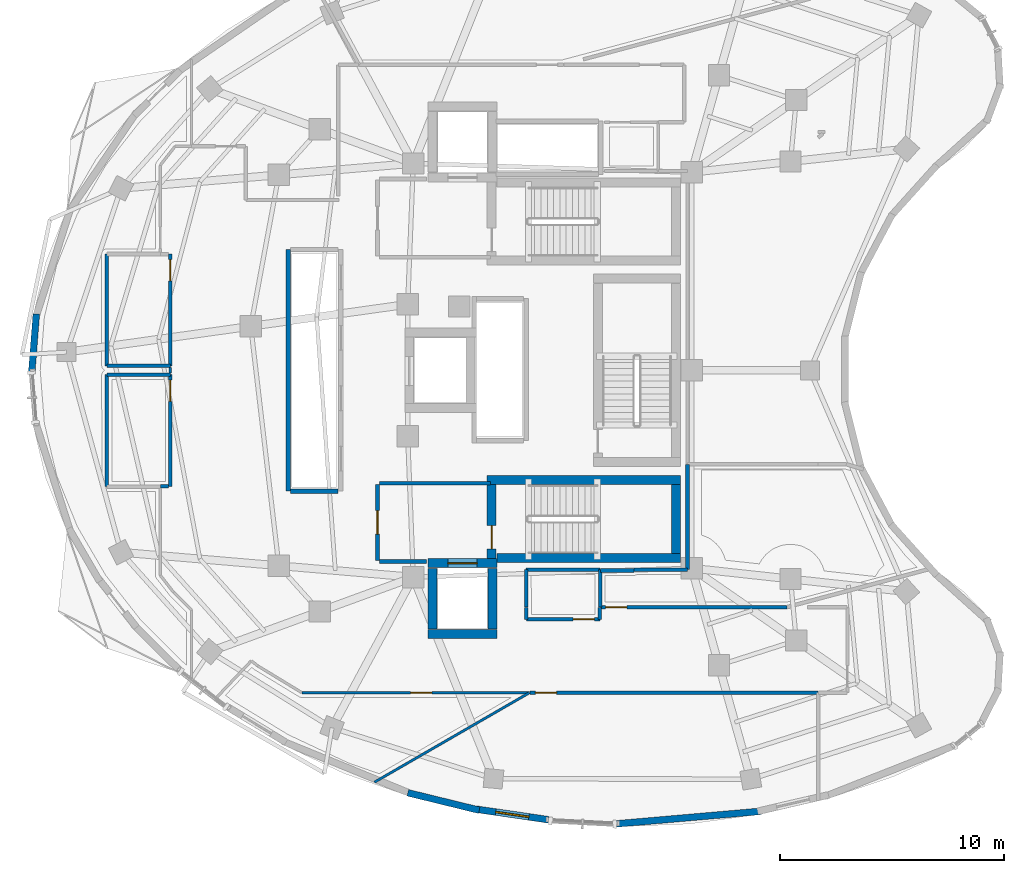
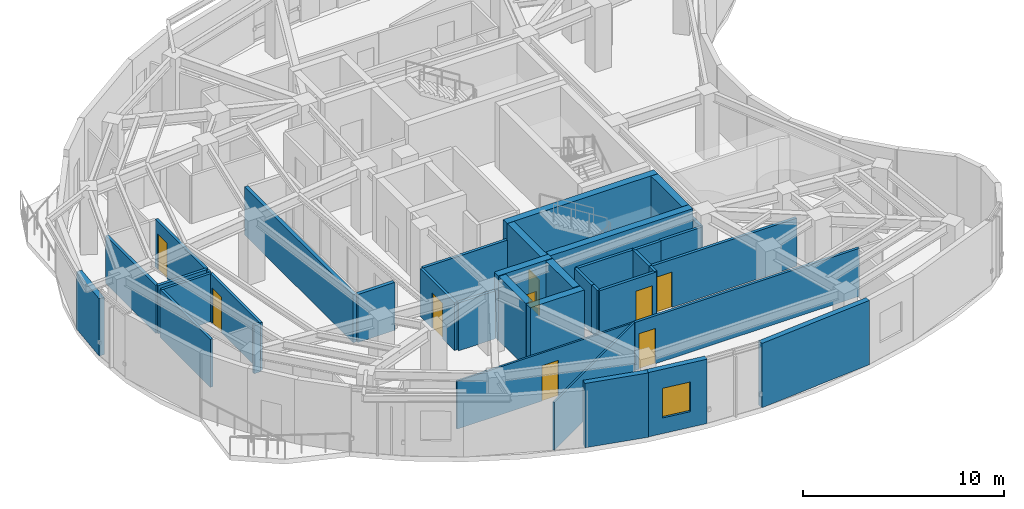
# One storey, part 7 of 13: 38 walls, 9 doors, 1 window, 10 openings.
"""IFC4 building model written with IfcOpenShell, lengths in metres."""

from ifc_helpers import new_model, si_unit, direction, frame, frame_2d, origin, place, context, subcontext, project, spatial, rectangle, extrude, material, layer, layer_set, type_object, element, fill, save


model = new_model("IFC4")

# Units and contexts
model_context = context("Model", 3, precision=1e-05, world=origin(), true_north=direction((0.0, 1.0)))
body_context = subcontext(model_context, "Body", "Model", "MODEL_VIEW")
ifc_project = project(units=[si_unit("LENGTHUNIT", "METRE"), si_unit("AREAUNIT", "SQUARE_METRE"), si_unit("VOLUMEUNIT", "CUBIC_METRE"), si_unit("PLANEANGLEUNIT", "RADIAN"), si_unit("MASSUNIT", "GRAM", prefix="KILO")], contexts=[model_context])

# Site, building, storey
site_placement = place(None, origin())
site = spatial("IfcSite", under=ifc_project, at=site_placement, CompositionType="ELEMENT")
building_placement = place(site_placement, origin())
building = spatial("IfcBuilding", under=site, at=building_placement, Name="Korentha Bioscience Tower", CompositionType="ELEMENT")
storey_placement = place(building_placement, frame((0.0, 0.0, 268.800048828125)))
storey = spatial("IfcBuildingStorey", under=building, at=storey_placement, Name="L62", CompositionType="ELEMENT", Elevation=268.800048828125)

# Wall, opening, door
ifc_material_1 = material(Name="Double-Stud Acoustic Gypsum", Category="gypsum")
ifc_layer_1 = layer(ifc_material_1, 0.14990234375, Name="Double-Stud Acoustic Gypsum")
ifc_layer_set_1 = layer_set([ifc_layer_1], Name="Double-Stud Acoustic Gypsum (IW-L150)")
wall_type_1 = type_object("IfcWallType", Name="Acoustic Laboratory Partition Wall 150", PredefinedType="PARTITIONING", material=ifc_layer_set_1)
wall_1_placement = place(storey_placement, frame((14.239990234375, 26.800048828125, 0.0), z_axis=(0.0, 0.0, 1.0), x_axis=(0.0, -1.0, 0.0)))
wall_1 = element("IfcWall", 1, at=wall_1_placement, inside=storey, type_object=wall_type_1, Name="L62 Reclaimed Bank-1 Cold Freezer Alcove Entrance Wall", PredefinedType="PARTITIONING", context=body_context, shape_type="SweptSolid", body=[
    extrude(rectangle(XDim=4.989990234375, YDim=0.14990234375, at=frame_2d((2.4951171875, 0.0))), origin(), (0.0, 0.0, 1.0), 2.909912109375),
])
opening_1_placement = place(wall_1_placement, frame((0.239990234375, 0.0, 0.0)))
opening_1 = element("IfcOpeningElement", 2, at=opening_1_placement, cuts=wall_1, Name="Opening ID-10L", PredefinedType="OPENING", context=body_context, shape_type="SweptSolid", body=[
    extrude(rectangle(XDim=0.949951171875, YDim=2.14990234375, at=frame_2d((0.47509765625, 1.074951171875))), frame((0.0, 0.08984375, 0.0), z_axis=(0.0, -1.0, 0.0), x_axis=(1.0, 0.0, 0.0)), (0.0, 0.0, 1.0), 0.1796875),
])
ifc_material_2 = material(Name="Phenolic Laminate Timber Core", Category="wood")
door_type_1 = type_object("IfcDoorType", Name="Laboratory Single Leaf Door 950x2150 Left", OperationType="SINGLE_SWING_LEFT", PredefinedType="DOOR", material=ifc_material_2)
door_1_placement = place(opening_1_placement, origin())
door_1 = element("IfcDoor", 3, at=door_1_placement, inside=storey, type_object=door_type_1, Name="L62 Reclaimed Bank-1 Cold Freezer Alcove Door", OperationType="SINGLE_SWING_LEFT", OverallHeight=2.14990234375, OverallWidth=0.949951171875, PredefinedType="DOOR", context=body_context, shape_type="SweptSolid", body=[
    extrude(rectangle(XDim=0.949951171875, YDim=2.14990234375, at=frame_2d((0.47509765625, 1.074951171875))), frame((0.0, 0.02490234375, 0.0), z_axis=(0.0, -1.0, 0.0), x_axis=(1.0, 0.0, 0.0)), (0.0, 0.0, 1.0), 0.050048828125),
])
fill(opening_1, door_1)

wall_2_placement = place(storey_placement, frame((30.314453125, 12.590087890625, 0.0), z_axis=(0.0, 0.0, 1.0), x_axis=(1.0, 0.0, 0.0)))
wall_2 = element("IfcWall", 4, at=wall_2_placement, inside=storey, type_object=wall_type_1, Name="L62 Staff Pantry Kitchenette 02 Entrance Wall", PredefinedType="PARTITIONING", context=body_context, shape_type="SweptSolid", body=[
    extrude(rectangle(XDim=12.883544921875, YDim=0.14990234375, at=frame_2d((6.44189453125, 0.0))), origin(), (0.0, 0.0, 1.0), 2.909912109375),
])
opening_2_placement = place(wall_2_placement, frame((0.239990234375, 0.0, 0.0)))
opening_2 = element("IfcOpeningElement", 5, at=opening_2_placement, cuts=wall_2, Name="Opening ID-10R", PredefinedType="OPENING", context=body_context, shape_type="SweptSolid", body=[
    extrude(rectangle(XDim=0.949951171875, YDim=2.14990234375, at=frame_2d((0.47509765625, 1.074951171875))), frame((0.0, 0.08984375, 0.0), z_axis=(0.0, -1.0, 0.0), x_axis=(1.0, 0.0, 0.0)), (0.0, 0.0, 1.0), 0.1796875),
])
door_type_2 = type_object("IfcDoorType", Name="Laboratory Single Leaf Door 950x2150 Right", OperationType="SINGLE_SWING_RIGHT", PredefinedType="DOOR", material=ifc_material_2)
door_2_placement = place(opening_2_placement, origin())
door_2 = element("IfcDoor", 6, at=door_2_placement, inside=storey, type_object=door_type_2, Name="L62 Staff Pantry Kitchenette 02 Door", OperationType="SINGLE_SWING_RIGHT", OverallHeight=2.14990234375, OverallWidth=0.949951171875, PredefinedType="DOOR", context=body_context, shape_type="SweptSolid", body=[
    extrude(rectangle(XDim=0.949951171875, YDim=2.14990234375, at=frame_2d((0.47509765625, 1.074951171875))), frame((0.0, 0.02490234375, 0.0), z_axis=(0.0, -1.0, 0.0), x_axis=(1.0, 0.0, 0.0)), (0.0, 0.0, 1.0), 0.050048828125),
])
fill(opening_2, door_2)

# Walls
wall_3_placement = place(storey_placement, frame((14.162109375, 21.81005859375, 0.0), z_axis=(0.0, 0.0, 1.0), x_axis=(-1.0, 0.0, 0.0)))
element("IfcWall", 7, at=wall_3_placement, inside=storey, type_object=wall_type_1, Name="L62 Interior Partition 020", PredefinedType="PARTITIONING", context=body_context, shape_type="SweptSolid", body=[
    extrude(rectangle(XDim=0.362060546875, YDim=0.14990234375, at=frame_2d((0.18115234375, 0.0))), origin(), (0.0, 0.0, 1.0), 2.909912109375),
])
wall_4_placement = place(storey_placement, frame((11.39990234375, 21.800048828125, 0.0), z_axis=(0.0, 0.0, 1.0), x_axis=(0.0, 1.0, 0.0)))
element("IfcWall", 8, at=wall_4_placement, inside=storey, type_object=wall_type_1, Name="L62 Interior Partition 022", PredefinedType="PARTITIONING", context=body_context, shape_type="SweptSolid", body=[
    extrude(rectangle(XDim=5.0, YDim=0.14990234375, at=frame_2d((2.5, 0.0))), origin(), (0.0, 0.0, 1.0), 2.909912109375),
])
wall_5_placement = place(storey_placement, frame((11.39990234375, 26.800048828125, 0.0), z_axis=(0.0, 0.0, 1.0), x_axis=(1.0, 0.0, 0.0)))
element("IfcWall", 9, at=wall_5_placement, inside=storey, type_object=wall_type_1, Name="L62 Interior Partition 023", PredefinedType="PARTITIONING", context=body_context, shape_type="SweptSolid", body=[
    extrude(rectangle(XDim=2.840087890625, YDim=0.14990234375, at=frame_2d((1.419921875, 0.0))), origin(), (0.0, 0.0, 1.0), 2.909912109375),
])

# Wall, opening, door
ifc_material_3 = material(Name="Fire-Rated Framed Glass", Category="glass")
ifc_layer_2 = layer(ifc_material_3, 0.110107421875, Name="Fire-Rated Framed Glass")
ifc_layer_set_2 = layer_set([ifc_layer_2], Name="Fire-Rated Framed Glass (IW-G110)")
wall_type_2 = type_object("IfcWallType", Name="Demountable Glazed Office Partition 110", PredefinedType="MOVABLE", material=ifc_layer_set_2)
wall_6_placement = place(storey_placement, frame((20.114013671875, 12.590087890625, 0.0), z_axis=(0.0, 0.0, 1.0), x_axis=(1.0, 0.0, 0.0)))
wall_6 = element("IfcWall", 10, at=wall_6_placement, inside=storey, type_object=wall_type_2, Name="L62 Research Colloquium Seminar Room 01 Entrance Wall", PredefinedType="MOVABLE", context=body_context, shape_type="SweptSolid", body=[
    extrude(rectangle(XDim=10.1884765625, YDim=0.110107421875, at=frame_2d((5.09423828125, 0.0))), origin(), (0.0, 0.0, 1.0), 2.909912109375),
])
opening_3_placement = place(wall_6_placement, frame((4.86962890625, 0.0, 0.0)))
opening_3 = element("IfcOpeningElement", 11, at=opening_3_placement, cuts=wall_6, Name="Opening ID-10L", PredefinedType="OPENING", context=body_context, shape_type="SweptSolid", body=[
    extrude(rectangle(XDim=0.949951171875, YDim=2.14990234375, at=frame_2d((0.47509765625, 1.074951171875))), frame((0.0, 0.06982421875, 0.0), z_axis=(0.0, -1.0, 0.0), x_axis=(1.0, 0.0, 0.0)), (0.0, 0.0, 1.0), 0.139892578125),
])
door_3_placement = place(opening_3_placement, origin())
door_3 = element("IfcDoor", 12, at=door_3_placement, inside=storey, type_object=door_type_1, Name="L62 Research Colloquium Seminar Room 01 Door", OperationType="SINGLE_SWING_LEFT", OverallHeight=2.14990234375, OverallWidth=0.949951171875, PredefinedType="DOOR", context=body_context, shape_type="SweptSolid", body=[
    extrude(rectangle(XDim=0.949951171875, YDim=2.14990234375, at=frame_2d((0.47509765625, 1.074951171875))), frame((0.0, 0.02490234375, 0.0), z_axis=(0.0, -1.0, 0.0), x_axis=(1.0, 0.0, 0.0)), (0.0, 0.0, 1.0), 0.050048828125),
])
fill(opening_3, door_3)

# Walls
wall_7_placement = place(storey_placement, frame((30.302490234375, 12.590087890625, 0.0), z_axis=(0.0, 0.0, 1.0), x_axis=(-0.866017589642, -0.500013534248, 0.0)))
element("IfcWall", 13, at=wall_7_placement, inside=storey, type_object=wall_type_2, Name="L62 Interior Partition 030", PredefinedType="MOVABLE", context=body_context, shape_type="SweptSolid", body=[
    extrude(rectangle(XDim=8.010498046875, YDim=0.110107421875, at=frame_2d((4.00537109375, 0.0))), origin(), (0.0, 0.0, 1.0), 2.909912109375),
])
wall_8_placement = place(storey_placement, frame((14.239990234375, 27.116943359375, 0.0), z_axis=(0.0, 0.0, 1.0), x_axis=(0.0, -1.0, 0.0)))
element("IfcWall", 14, at=wall_8_placement, inside=storey, type_object=wall_type_2, Name="L62 Interior Partition 055", PredefinedType="MOVABLE", context=body_context, shape_type="SweptSolid", body=[
    extrude(rectangle(XDim=0.239013671875, YDim=0.110107421875, at=frame_2d((0.11962890625, 0.0))), origin(), (0.0, 0.0, 1.0), 2.909912109375),
])

# Wall, opening, door
ifc_material_4 = material(Name="Gypsum-Clad Steel Stud", Category="steel")
ifc_layer_3 = layer(ifc_material_4, 0.159912109375, Name="Gypsum-Clad Steel Stud")
ifc_layer_set_3 = layer_set([ifc_layer_3], Name="Gypsum-Clad Steel Stud (IW-C160)")
wall_type_3 = type_object("IfcWallType", Name="Fire-Rated Corridor Partition Wall 160", PredefinedType="PARTITIONING", material=ifc_layer_set_3)
wall_9_placement = place(storey_placement, frame((23.5, 18.5, 0.0), z_axis=(0.0, 0.0, 1.0), x_axis=(0.0, 1.0, 0.0)))
wall_9 = element("IfcWall", 15, at=wall_9_placement, inside=storey, type_object=wall_type_3, Name="L62 FFLS-CW Rated Enclosure Wall", PredefinedType="PARTITIONING", context=body_context, shape_type="SweptSolid", body=[
    extrude(rectangle(XDim=3.39990234375, YDim=0.159912109375, at=frame_2d((1.699951171875, 0.0))), origin(), (0.0, 0.0, 1.0), 2.909912109375),
])
opening_4_placement = place(wall_9_placement, frame((1.175048828125, 0.0, 0.0)))
opening_4 = element("IfcOpeningElement", 16, at=opening_4_placement, cuts=wall_9, Name="Opening FD-90L", PredefinedType="OPENING", context=body_context, shape_type="SweptSolid", body=[
    extrude(rectangle(XDim=1.050048828125, YDim=2.14990234375, at=frame_2d((0.52490234375, 1.074951171875))), frame((0.0, 0.0947265625, 0.0), z_axis=(0.0, -1.0, 0.0), x_axis=(1.0, 0.0, 0.0)), (0.0, 0.0, 1.0), 0.189697265625),
])
ifc_material_5 = material(Name="Powder-Coated Fire-Rated Steel", Category="steel")
door_type_3 = type_object("IfcDoorType", Name="Stairwell Fire Exit Door 1050x2150 Left", OperationType="SINGLE_SWING_LEFT", PredefinedType="DOOR", material=ifc_material_5)
door_4_placement = place(opening_4_placement, origin())
door_4 = element("IfcDoor", 17, at=door_4_placement, inside=storey, type_object=door_type_3, Name="L62 South Firefighting Lobby Door", OperationType="SINGLE_SWING_LEFT", OverallHeight=2.14990234375, OverallWidth=1.050048828125, PredefinedType="DOOR", context=body_context, shape_type="SweptSolid", body=[
    extrude(rectangle(XDim=1.050048828125, YDim=2.14990234375, at=frame_2d((0.52490234375, 1.074951171875))), frame((0.0, 0.02490234375, 0.0), z_axis=(0.0, -1.0, 0.0), x_axis=(1.0, 0.0, 0.0)), (0.0, 0.0, 1.0), 0.050048828125),
])
fill(opening_4, door_4)

# Walls
wall_10_placement = place(storey_placement, frame((23.580078125, 21.949951171875, 0.0), z_axis=(0.0, 0.0, 1.0), x_axis=(1.0, 0.0, 0.0)))
element("IfcWall", 18, at=wall_10_placement, inside=storey, type_object=wall_type_3, Name="L62 Firefighting Lobby Return Wall FFLS-N", PredefinedType="PARTITIONING", context=body_context, shape_type="SweptSolid", body=[
    extrude(rectangle(XDim=4.969970703125, YDim=0.159912109375, at=frame_2d((2.48486328125, 0.0))), origin(), (0.0, 0.0, 1.0), 2.909912109375),
])
wall_11_placement = place(storey_placement, frame((23.580078125, 18.449951171875, 0.0), z_axis=(0.0, 0.0, 1.0), x_axis=(1.0, 0.0, 0.0)))
element("IfcWall", 19, at=wall_11_placement, inside=storey, type_object=wall_type_3, Name="L62 Firefighting Lobby Return Wall FFLS-S", PredefinedType="PARTITIONING", context=body_context, shape_type="SweptSolid", body=[
    extrude(rectangle(XDim=2.119873046875, YDim=0.159912109375, at=frame_2d((1.06005859375, 0.0))), origin(), (0.0, 0.0, 1.0), 2.909912109375),
])

# Wall, opening, door
wall_12_placement = place(storey_placement, frame((33.43994140625, 15.860107421875, 0.0), z_axis=(0.0, 0.0, 1.0), x_axis=(-1.0, 0.0, 0.0)))
wall_12 = element("IfcWall", 20, at=wall_12_placement, inside=storey, type_object=wall_type_3, Name="L62 Core Instrumentation and Gas Store Entrance Wall", PredefinedType="PARTITIONING", context=body_context, shape_type="SweptSolid", body=[
    extrude(rectangle(XDim=3.280029296875, YDim=0.159912109375, at=frame_2d((1.64013671875, 0.0))), origin(), (0.0, 0.0, 1.0), 2.909912109375),
])
opening_5_placement = place(wall_12_placement, frame((0.239990234375, 0.0, 0.0)))
opening_5 = element("IfcOpeningElement", 21, at=opening_5_placement, cuts=wall_12, Name="Opening ID-10L", PredefinedType="OPENING", context=body_context, shape_type="SweptSolid", body=[
    extrude(rectangle(XDim=0.949951171875, YDim=2.14990234375, at=frame_2d((0.47509765625, 1.074951171875))), frame((0.0, 0.0947265625, 0.0), z_axis=(0.0, -1.0, 0.0), x_axis=(1.0, 0.0, 0.0)), (0.0, 0.0, 1.0), 0.189697265625),
])
door_5_placement = place(opening_5_placement, origin())
door_5 = element("IfcDoor", 22, at=door_5_placement, inside=storey, type_object=door_type_1, Name="L62 Core Instrumentation and Gas Store Door", OperationType="SINGLE_SWING_LEFT", OverallHeight=2.14990234375, OverallWidth=0.949951171875, PredefinedType="DOOR", context=body_context, shape_type="SweptSolid", body=[
    extrude(rectangle(XDim=0.949951171875, YDim=2.14990234375, at=frame_2d((0.47509765625, 1.074951171875))), frame((0.0, 0.02490234375, 0.0), z_axis=(0.0, -1.0, 0.0), x_axis=(1.0, 0.0, 0.0)), (0.0, 0.0, 1.0), 0.050048828125),
])
fill(opening_5, door_5)

wall_13_placement = place(storey_placement, frame((14.239990234375, 32.18994140625, 0.0), z_axis=(0.0, 0.0, 1.0), x_axis=(0.0, -1.0, 0.0)))
wall_13 = element("IfcWall", 23, at=wall_13_placement, inside=storey, type_object=wall_type_3, Name="L62 Reclaimed Bank-1 Glassware Store Entrance Wall", PredefinedType="PARTITIONING", context=body_context, shape_type="SweptSolid", body=[
    extrude(rectangle(XDim=4.989990234375, YDim=0.159912109375, at=frame_2d((2.4951171875, 0.0))), origin(), (0.0, 0.0, 1.0), 2.909912109375),
])
opening_6_placement = place(wall_13_placement, frame((0.239990234375, 0.0, 0.0)))
opening_6 = element("IfcOpeningElement", 24, at=opening_6_placement, cuts=wall_13, Name="Opening ID-10R", PredefinedType="OPENING", context=body_context, shape_type="SweptSolid", body=[
    extrude(rectangle(XDim=0.949951171875, YDim=2.14990234375, at=frame_2d((0.47509765625, 1.074951171875))), frame((0.0, 0.0947265625, 0.0), z_axis=(0.0, -1.0, 0.0), x_axis=(1.0, 0.0, 0.0)), (0.0, 0.0, 1.0), 0.189697265625),
])
door_6_placement = place(opening_6_placement, origin())
door_6 = element("IfcDoor", 25, at=door_6_placement, inside=storey, type_object=door_type_2, Name="L62 Reclaimed Bank-1 Glassware Store Door", OperationType="SINGLE_SWING_RIGHT", OverallHeight=2.14990234375, OverallWidth=0.949951171875, PredefinedType="DOOR", context=body_context, shape_type="SweptSolid", body=[
    extrude(rectangle(XDim=0.949951171875, YDim=2.14990234375, at=frame_2d((0.47509765625, 1.074951171875))), frame((0.0, 0.02490234375, 0.0), z_axis=(0.0, -1.0, 0.0), x_axis=(1.0, 0.0, 0.0)), (0.0, 0.0, 1.0), 0.050048828125),
])
fill(opening_6, door_6)

wall_14_placement = place(storey_placement, frame((41.807861328125, 16.409912109375, 0.0), z_axis=(0.0, 0.0, 1.0), x_axis=(-1.0, 0.0, 0.0)))
wall_14 = element("IfcWall", 26, at=wall_14_placement, inside=storey, type_object=wall_type_3, Name="L62 Biospecimen Archive Store 03 Entrance Wall", PredefinedType="PARTITIONING", context=body_context, shape_type="SweptSolid", body=[
    extrude(rectangle(XDim=8.347900390625, YDim=0.159912109375, at=frame_2d((4.173828125, 0.0))), origin(), (0.0, 0.0, 1.0), 2.909912109375),
])
opening_7_placement = place(wall_14_placement, frame((7.157958984375, 0.0, 0.0)))
opening_7 = element("IfcOpeningElement", 27, at=opening_7_placement, cuts=wall_14, Name="Opening ID-10L", PredefinedType="OPENING", context=body_context, shape_type="SweptSolid", body=[
    extrude(rectangle(XDim=0.949951171875, YDim=2.14990234375, at=frame_2d((0.47509765625, 1.074951171875))), frame((0.0, 0.0947265625, 0.0), z_axis=(0.0, -1.0, 0.0), x_axis=(1.0, 0.0, 0.0)), (0.0, 0.0, 1.0), 0.189697265625),
])
door_7_placement = place(opening_7_placement, origin())
door_7 = element("IfcDoor", 28, at=door_7_placement, inside=storey, type_object=door_type_1, Name="L62 Biospecimen Archive Store 03 Door", OperationType="SINGLE_SWING_LEFT", OverallHeight=2.14990234375, OverallWidth=0.949951171875, PredefinedType="DOOR", context=body_context, shape_type="SweptSolid", body=[
    extrude(rectangle(XDim=0.949951171875, YDim=2.14990234375, at=frame_2d((0.47509765625, 1.074951171875))), frame((0.0, 0.02490234375, 0.0), z_axis=(0.0, -1.0, 0.0), x_axis=(1.0, 0.0, 0.0)), (0.0, 0.0, 1.0), 0.050048828125),
])
fill(opening_7, door_7)

# Walls
for number, where, z_axis, x_axis, name in (
    (29, (33.43994140625, 16.39990234375, 0.0), (0.0, 0.0, 1.0), (0.0, -1.0, 0.0), "L62 Interior Partition 013"),
    (30, (30.159912109375, 15.860107421875, 0.0), (0.0, 0.0, 1.0), (0.0, 1.0, 0.0), "L62 Interior Partition 014"),
):
    element("IfcWall", number, at=place(storey_placement, frame(where, z_axis=z_axis, x_axis=x_axis)), inside=storey, type_object=wall_type_3, Name=name, PredefinedType="PARTITIONING", context=body_context, shape_type="SweptSolid", body=[
        extrude(rectangle(XDim=0.539794921875, YDim=0.159912109375, at=frame_2d((0.27001953125, 0.0))), origin(), (0.0, 0.0, 1.0), 2.909912109375),
    ])
wall_15_placement = place(storey_placement, frame((30.14990234375, 16.409912109375, 0.0), z_axis=(0.0, 0.0, 1.0), x_axis=(0.0, 1.0, 0.0)))
element("IfcWall", 31, at=wall_15_placement, inside=storey, type_object=wall_type_3, Name="L62 Interior Partition 015", PredefinedType="PARTITIONING", context=body_context, shape_type="SweptSolid", body=[
    extrude(rectangle(XDim=1.68017578125, YDim=0.159912109375, at=frame_2d((0.840087890625, 0.0))), origin(), (0.0, 0.0, 1.0), 2.909912109375),
])
wall_16_placement = place(storey_placement, frame((30.14990234375, 18.090087890625, 0.0), z_axis=(0.0, 0.0, 1.0), x_axis=(1.0, 0.0, 0.0)))
element("IfcWall", 32, at=wall_16_placement, inside=storey, type_object=wall_type_3, Name="L62 Interior Partition 016", PredefinedType="PARTITIONING", context=body_context, shape_type="SweptSolid", body=[
    extrude(rectangle(XDim=3.300048828125, YDim=0.159912109375, at=frame_2d((1.64990234375, 0.0))), origin(), (0.0, 0.0, 1.0), 2.909912109375),
])
wall_17_placement = place(storey_placement, frame((33.449951171875, 18.090087890625, 0.0), z_axis=(0.0, 0.0, 1.0), x_axis=(0.0, -1.0, 0.0)))
element("IfcWall", 33, at=wall_17_placement, inside=storey, type_object=wall_type_3, Name="L62 Interior Partition 017", PredefinedType="PARTITIONING", context=body_context, shape_type="SweptSolid", body=[
    extrude(rectangle(XDim=1.68017578125, YDim=0.159912109375, at=frame_2d((0.840087890625, 0.0))), origin(), (0.0, 0.0, 1.0), 2.909912109375),
])
wall_18_placement = place(storey_placement, frame((14.239990234375, 27.199951171875, 0.0), z_axis=(0.0, 0.0, 1.0), x_axis=(-1.0, 0.0, 0.0)))
element("IfcWall", 34, at=wall_18_placement, inside=storey, type_object=wall_type_3, Name="L62 Interior Partition 025", PredefinedType="PARTITIONING", context=body_context, shape_type="SweptSolid", body=[
    extrude(rectangle(XDim=2.840087890625, YDim=0.159912109375, at=frame_2d((1.419921875, 0.0))), origin(), (0.0, 0.0, 1.0), 2.909912109375),
])
wall_19_placement = place(storey_placement, frame((11.39990234375, 27.199951171875, 0.0), z_axis=(0.0, 0.0, 1.0), x_axis=(0.0, 1.0, 0.0)))
element("IfcWall", 35, at=wall_19_placement, inside=storey, type_object=wall_type_3, Name="L62 Interior Partition 026", PredefinedType="PARTITIONING", context=body_context, shape_type="SweptSolid", body=[
    extrude(rectangle(XDim=5.0, YDim=0.159912109375, at=frame_2d((2.5, 0.0))), origin(), (0.0, 0.0, 1.0), 2.909912109375),
])
wall_20_placement = place(storey_placement, frame((34.961181640625, 18.090087890625, 0.0), z_axis=(0.0, 0.0, 1.0), x_axis=(1.0, 0.0, 0.0)))
element("IfcWall", 36, at=wall_20_placement, inside=storey, type_object=wall_type_3, Name="L62 Interior Partition 033", PredefinedType="PARTITIONING", context=body_context, shape_type="SweptSolid", body=[
    extrude(rectangle(XDim=2.388916015625, YDim=0.159912109375, at=frame_2d((1.1943359375, 0.0))), origin(), (0.0, 0.0, 1.0), 2.909912109375),
])
wall_21_placement = place(storey_placement, frame((37.360107421875, 18.10009765625, 0.0), z_axis=(0.0, 0.0, 1.0), x_axis=(0.0, 1.0, 0.0)))
element("IfcWall", 37, at=wall_21_placement, inside=storey, type_object=wall_type_3, Name="L62 Interior Partition 034", PredefinedType="PARTITIONING", context=body_context, shape_type="SweptSolid", body=[
    extrude(rectangle(XDim=4.697998046875, YDim=0.159912109375, at=frame_2d((2.34912109375, 0.0))), origin(), (0.0, 0.0, 1.0), 2.909912109375),
])
wall_22_placement = place(storey_placement, frame((33.4599609375, 18.048095703125, 0.0), z_axis=(0.0, 0.0, 1.0), x_axis=(1.0, 0.0, 0.0)))
element("IfcWall", 38, at=wall_22_placement, inside=storey, type_object=wall_type_3, Name="L62 Interior Partition 039", PredefinedType="PARTITIONING", context=body_context, shape_type="SweptSolid", body=[
    extrude(rectangle(XDim=1.501220703125, YDim=0.159912109375, at=frame_2d((0.75048828125, 0.0))), origin(), (0.0, 0.0, 1.0), 2.909912109375),
])

# Wall, opening, window
ifc_material_6 = material(Name="Honed Limestone Precast Concrete C40", Category="masonry")
ifc_layer_4 = layer(ifc_material_6, 0.300048828125, Name="Honed Limestone Precast Concrete C40")
ifc_layer_set_4 = layer_set([ifc_layer_4], Name="Honed Limestone Precast Concrete C40 (EW-ST300)")
wall_type_4 = type_object("IfcWallType", Name="Honed Limestone Cavity Spandrel Wall 300", PredefinedType="STANDARD", material=ifc_layer_set_4)
wall_23_placement = place(storey_placement, frame((27.902099609375, 7.378662109375, 0.0), z_axis=(0.0, 0.0, 1.0), x_axis=(0.989461064134, -0.144799180117, 0.0)))
wall_23 = element("IfcWall", 39, at=wall_23_placement, inside=storey, type_object=wall_type_4, Name="L62 Honed Limestone Spandrel Wall 30", PredefinedType="STANDARD", context=body_context, shape_type="SweptSolid", body=[
    extrude(rectangle(XDim=3.287841796875, YDim=0.300048828125, at=frame_2d((1.64404296875, 0.0))), origin(), (0.0, 0.0, 1.0), 3.89990234375),
])
opening_8_placement = place(wall_23_placement, frame((0.893798828125, 0.0, 0.949951171875)))
opening_8 = element("IfcOpeningElement", 40, at=opening_8_placement, cuts=wall_23, Name="Opening WN-02", PredefinedType="OPENING", context=body_context, shape_type="SweptSolid", body=[
    extrude(rectangle(XDim=1.5, YDim=1.800048828125, at=frame_2d((0.75, 0.89990234375))), frame((0.0, 0.1650390625, 0.0), z_axis=(0.0, -1.0, 0.0), x_axis=(1.0, 0.0, 0.0)), (0.0, 0.0, 1.0), 0.329833984375),
])
ifc_material_7 = material(Name="Thermally Broken Aluminium Triple Glazing", Category="aluminium")
window_type = type_object("IfcWindowType", Name="Acoustic Operable Office Window 1500x1800", PartitioningType="DOUBLE_PANEL_VERTICAL", PredefinedType="WINDOW", material=ifc_material_7)
window_placement = place(opening_8_placement, origin())
window = element("IfcWindow", 41, at=window_placement, inside=storey, type_object=window_type, Name="L62 Facade Window 30", OverallHeight=1.800048828125, OverallWidth=1.5, PartitioningType="DOUBLE_PANEL_VERTICAL", PredefinedType="WINDOW", context=body_context, shape_type="SweptSolid", body=[
    extrude(rectangle(XDim=1.5, YDim=1.800048828125, at=frame_2d((0.75, 0.89990234375))), frame((0.0, 0.030029296875, 0.0), z_axis=(0.0, -1.0, 0.0), x_axis=(1.0, 0.0, 0.0)), (0.0, 0.0, 1.0), 0.06005859375),
])
fill(opening_8, window)

# Walls
wall_24_placement = place(storey_placement, frame((8.24658203125, 29.517333984375, 0.0), z_axis=(0.0, 0.0, 1.0), x_axis=(-0.078109406708, -0.996944793147, 0.0)))
element("IfcWall", 42, at=wall_24_placement, inside=storey, type_object=wall_type_4, Name="L62 Limestone Perimeter Closure Wall 18", PredefinedType="STANDARD", context=body_context, shape_type="SweptSolid", body=[
    extrude(rectangle(XDim=2.6162109375, YDim=0.300048828125, at=frame_2d((1.30810546875, 0.0))), origin(), (0.0, 0.0, 1.0), 3.469970703125),
])
wall_25_placement = place(storey_placement, frame((24.853759765625, 8.111083984375, 0.0), z_axis=(0.0, 0.0, 1.0), x_axis=(0.971305358754, -0.23783586789, 0.0)))
element("IfcWall", 43, at=wall_25_placement, inside=storey, type_object=wall_type_4, Name="L62 Limestone Perimeter Closure Wall 29", PredefinedType="STANDARD", context=body_context, shape_type="SweptSolid", body=[
    extrude(rectangle(XDim=3.2900390625, YDim=0.300048828125, at=frame_2d((1.64501953125, 0.0))), origin(), (0.0, 0.0, 1.0), 3.89990234375),
])
wall_26_placement = place(storey_placement, frame((34.164306640625, 6.71923828125, 0.0), z_axis=(0.0, 0.0, 1.0), x_axis=(0.996250708408, 0.086513155053, 0.0)))
element("IfcWall", 44, at=wall_26_placement, inside=storey, type_object=wall_type_4, Name="L62 Limestone Perimeter Closure Wall 32", PredefinedType="STANDARD", context=body_context, shape_type="SweptSolid", body=[
    extrude(rectangle(XDim=6.51318359375, YDim=0.300048828125, at=frame_2d((3.256591796875, 0.0))), origin(), (0.0, 0.0, 1.0), 3.89990234375),
])
ifc_material_8 = material(Name="Autoclaved Aerated Concrete Block C25", Category="concrete")
ifc_layer_5 = layer(ifc_material_8, 0.199951171875, Name="Autoclaved Aerated Concrete Block C25")
ifc_layer_set_5 = layer_set([ifc_layer_5], Name="Autoclaved Aerated Concrete Block C25 (IW-S200)")
wall_type_5 = type_object("IfcWallType", Name="Lift and Riser Shaft Enclosure Wall 200", PredefinedType="PARTITIONING", material=ifc_layer_set_5)
wall_27_placement = place(storey_placement, frame((19.5, 21.60009765625, 0.0), z_axis=(0.0, 0.0, 1.0), x_axis=(0.0, 1.0, 0.0)))
element("IfcWall", 45, at=wall_27_placement, inside=storey, type_object=wall_type_5, Name="L62 Lift Bank MID Shaft Wall -X", PredefinedType="PARTITIONING", context=body_context, shape_type="SweptSolid", body=[
    extrude(rectangle(XDim=10.7998046875, YDim=0.199951171875, at=frame_2d((5.39990234375, 0.0))), origin(), (0.0, 0.0, 1.0), 2.909912109375),
])
wall_28_placement = place(storey_placement, frame((19.6201171875, 21.60009765625, 0.0), z_axis=(0.0, 0.0, 1.0), x_axis=(1.0, 0.0, 0.0)))
element("IfcWall", 46, at=wall_28_placement, inside=storey, type_object=wall_type_5, Name="L62 Lift Bank MID Shaft Wall -Y", PredefinedType="PARTITIONING", context=body_context, shape_type="SweptSolid", body=[
    extrude(rectangle(XDim=2.10986328125, YDim=0.199951171875, at=frame_2d((1.054931640625, 0.0))), origin(), (0.0, 0.0, 1.0), 2.909912109375),
])
ifc_material_9 = material(Name="Concrete C65", Category="concrete")
ifc_layer_6 = layer(ifc_material_9, 0.39990234375, Name="Concrete C65")
ifc_layer_set_6 = layer_set([ifc_layer_6], Name="Concrete C65 (CW-C65)")
wall_type_6 = type_object("IfcWallType", Name="Mid-Rise Core Shear Wall 400", PredefinedType="SHEAR", material=ifc_layer_set_6)
wall_29_placement = place(storey_placement, frame((28.85205078125, 18.60009765625, 0.0), z_axis=(0.0, 0.0, 1.0), x_axis=(1.0, 0.0, 0.0)))
element("IfcWall", 47, at=wall_29_placement, inside=storey, type_object=wall_type_6, Name="L62 Core Shear Wall ST2-S", PredefinedType="SHEAR", context=body_context, shape_type="SweptSolid", body=[
    extrude(rectangle(XDim=8.197998046875, YDim=0.39990234375, at=frame_2d((4.09912109375, 0.0))), origin(), (0.0, 0.0, 1.0), 3.89990234375),
])
wall_30_placement = place(storey_placement, frame((28.39990234375, 22.10009765625, 0.0), z_axis=(0.0, 0.0, 1.0), x_axis=(1.0, 0.0, 0.0)))
element("IfcWall", 48, at=wall_30_placement, inside=storey, type_object=wall_type_6, Name="L62 Core Shear Wall ST2-N", PredefinedType="SHEAR", context=body_context, shape_type="SweptSolid", body=[
    extrude(rectangle(XDim=8.650146484375, YDim=0.39990234375, at=frame_2d((4.3251953125, 0.0))), origin(), (0.0, 0.0, 1.0), 3.89990234375),
])
wall_31_placement = place(storey_placement, frame((36.85009765625, 18.81005859375, 0.0), z_axis=(0.0, 0.0, 1.0), x_axis=(0.0, 1.0, 0.0)))
element("IfcWall", 49, at=wall_31_placement, inside=storey, type_object=wall_type_6, Name="L62 Core Shear Wall ST2-E", PredefinedType="SHEAR", context=body_context, shape_type="SweptSolid", body=[
    extrude(rectangle(XDim=3.079833984375, YDim=0.39990234375, at=frame_2d((1.5400390625, 0.0))), origin(), (0.0, 0.0, 1.0), 3.89990234375),
])

# Wall, opening, door
wall_32_placement = place(storey_placement, frame((28.60009765625, 18.58203125, 0.0), z_axis=(0.0, 0.0, 1.0), x_axis=(0.0, 1.0, 0.0)))
wall_32 = element("IfcWall", 50, at=wall_32_placement, inside=storey, type_object=wall_type_6, Name="L62 Core Shear Wall ST2-W", PredefinedType="SHEAR", context=body_context, shape_type="SweptSolid", body=[
    extrude(rectangle(XDim=3.307861328125, YDim=0.39990234375, at=frame_2d((1.65380859375, 0.0))), origin(), (0.0, 0.0, 1.0), 3.89990234375),
])
opening_9_placement = place(wall_32_placement, frame((0.427978515625, 0.0, 0.0)))
opening_9 = element("IfcOpeningElement", 51, at=opening_9_placement, cuts=wall_32, Name="Opening FD-90L", PredefinedType="OPENING", context=body_context, shape_type="SweptSolid", body=[
    extrude(rectangle(XDim=1.050048828125, YDim=2.14990234375, at=frame_2d((0.52490234375, 1.074951171875))), frame((0.0, 0.21484375, 0.0), z_axis=(0.0, -1.0, 0.0), x_axis=(1.0, 0.0, 0.0)), (0.0, 0.0, 1.0), 0.4296875),
])
door_8_placement = place(opening_9_placement, origin())
door_8 = element("IfcDoor", 52, at=door_8_placement, inside=storey, type_object=door_type_3, Name="L62 ST-2 Fire Exit Stair Door", OperationType="SINGLE_SWING_LEFT", OverallHeight=2.14990234375, OverallWidth=1.050048828125, PredefinedType="DOOR", context=body_context, shape_type="SweptSolid", body=[
    extrude(rectangle(XDim=1.050048828125, YDim=2.14990234375, at=frame_2d((0.52490234375, 1.074951171875))), frame((0.0, 0.02490234375, 0.0), z_axis=(0.0, -1.0, 0.0), x_axis=(1.0, 0.0, 0.0)), (0.0, 0.0, 1.0), 0.050048828125),
])
fill(opening_9, door_8)

# Wall
wall_33_placement = place(storey_placement, frame((25.75, 15.199951171875, 0.0), z_axis=(0.0, 0.0, 1.0), x_axis=(1.0, 0.0, 0.0)))
element("IfcWall", 53, at=wall_33_placement, inside=storey, type_object=wall_type_6, Name="L62 Core Shear Wall FFL1-S", PredefinedType="SHEAR", context=body_context, shape_type="SweptSolid", body=[
    extrude(rectangle(XDim=3.10009765625, YDim=0.39990234375, at=frame_2d((1.550048828125, 0.0))), origin(), (0.0, 0.0, 1.0), 3.89990234375),
])

# Wall, opening, door
wall_34_placement = place(storey_placement, frame((25.75, 18.3798828125, 0.0), z_axis=(0.0, 0.0, 1.0), x_axis=(1.0, 0.0, 0.0)))
wall_34 = element("IfcWall", 54, at=wall_34_placement, inside=storey, type_object=wall_type_6, Name="L62 Core Shear Wall FFL1-N", PredefinedType="SHEAR", context=body_context, shape_type="SweptSolid", body=[
    extrude(rectangle(XDim=3.10009765625, YDim=0.39990234375, at=frame_2d((1.550048828125, 0.0))), origin(), (0.0, 0.0, 1.0), 3.89990234375),
])
opening_10_placement = place(wall_34_placement, frame((0.89990234375, 0.0, 0.0)))
opening_10 = element("IfcOpeningElement", 55, at=opening_10_placement, cuts=wall_34, Name="Opening LD-13", PredefinedType="OPENING", context=body_context, shape_type="SweptSolid", body=[
    extrude(rectangle(XDim=1.300048828125, YDim=2.199951171875, at=frame_2d((0.64990234375, 1.10009765625))), frame((0.0, 0.21484375, 0.0), z_axis=(0.0, -1.0, 0.0), x_axis=(1.0, 0.0, 0.0)), (0.0, 0.0, 1.0), 0.4296875),
])
ifc_material_10 = material(Name="Brushed Stainless Steel 316", Category="steel")
door_type_4 = type_object("IfcDoorType", Name="Service & Firefighting Lift Landing Door 1300x2300", OperationType="DOUBLE_DOOR_SLIDING", PredefinedType="DOOR", material=ifc_material_10)
door_9_placement = place(opening_10_placement, origin())
door_9 = element("IfcDoor", 56, at=door_9_placement, inside=storey, type_object=door_type_4, Name="L62 FFL-1 Sliding Lift Landing Door", OperationType="DOUBLE_DOOR_SLIDING", OverallHeight=2.199951171875, OverallWidth=1.300048828125, PredefinedType="DOOR", context=body_context, shape_type="SweptSolid", body=[
    extrude(rectangle(XDim=1.300048828125, YDim=2.199951171875, at=frame_2d((0.64990234375, 1.10009765625))), frame((0.0, 0.02490234375, 0.0), z_axis=(0.0, -1.0, 0.0), x_axis=(1.0, 0.0, 0.0)), (0.0, 0.0, 1.0), 0.050048828125),
])
fill(opening_10, door_9)

# Walls
for number, where, z_axis, x_axis, name in (
    (57, (25.949951171875, 15.43994140625, 0.0), (0.0, 0.0, 1.0), (0.0, 1.0, 0.0), "L62 Core Shear Wall FFL1-W"),
    (58, (28.64990234375, 15.43994140625, 0.0), (0.0, 0.0, 1.0), (0.0, 1.0, 0.0), "L62 Core Shear Wall FFL1-E"),
):
    element("IfcWall", number, at=place(storey_placement, frame(where, z_axis=z_axis, x_axis=x_axis)), inside=storey, type_object=wall_type_6, Name=name, PredefinedType="SHEAR", context=body_context, shape_type="SweptSolid", body=[
        extrude(rectangle(XDim=2.699951171875, YDim=0.39990234375, at=frame_2d((1.35009765625, 0.0))), origin(), (0.0, 0.0, 1.0), 3.89990234375),
    ])

save(model, "model.ifc")
